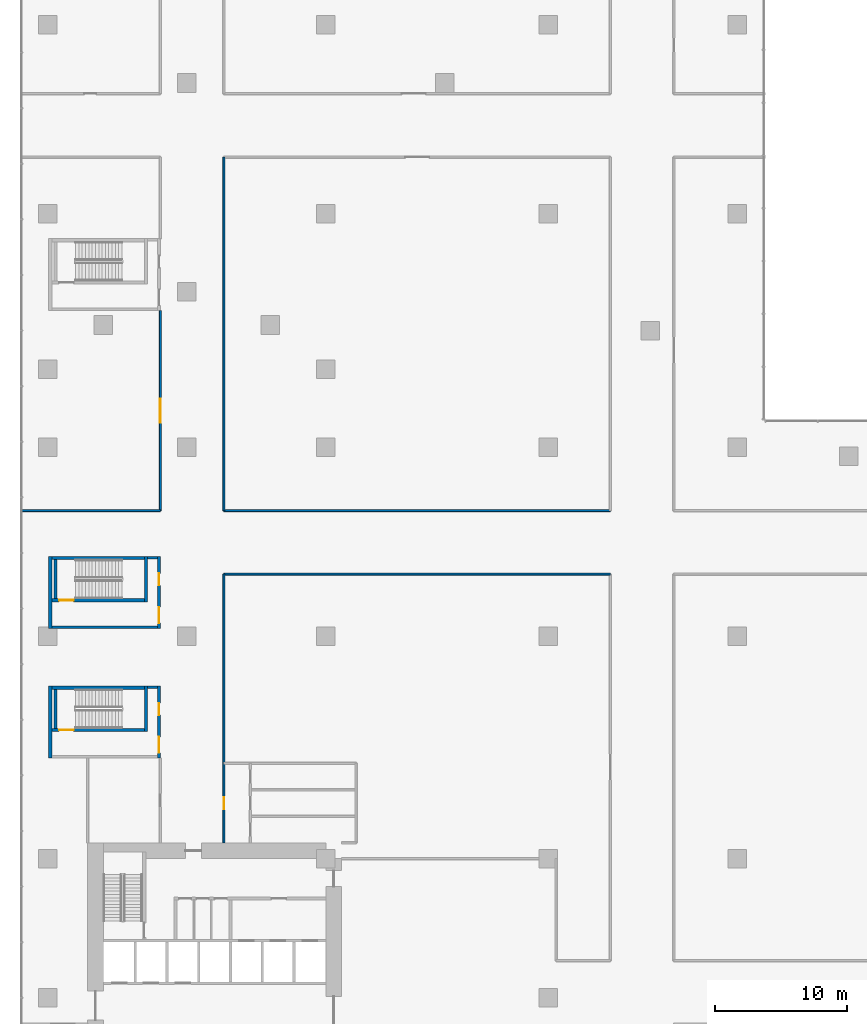
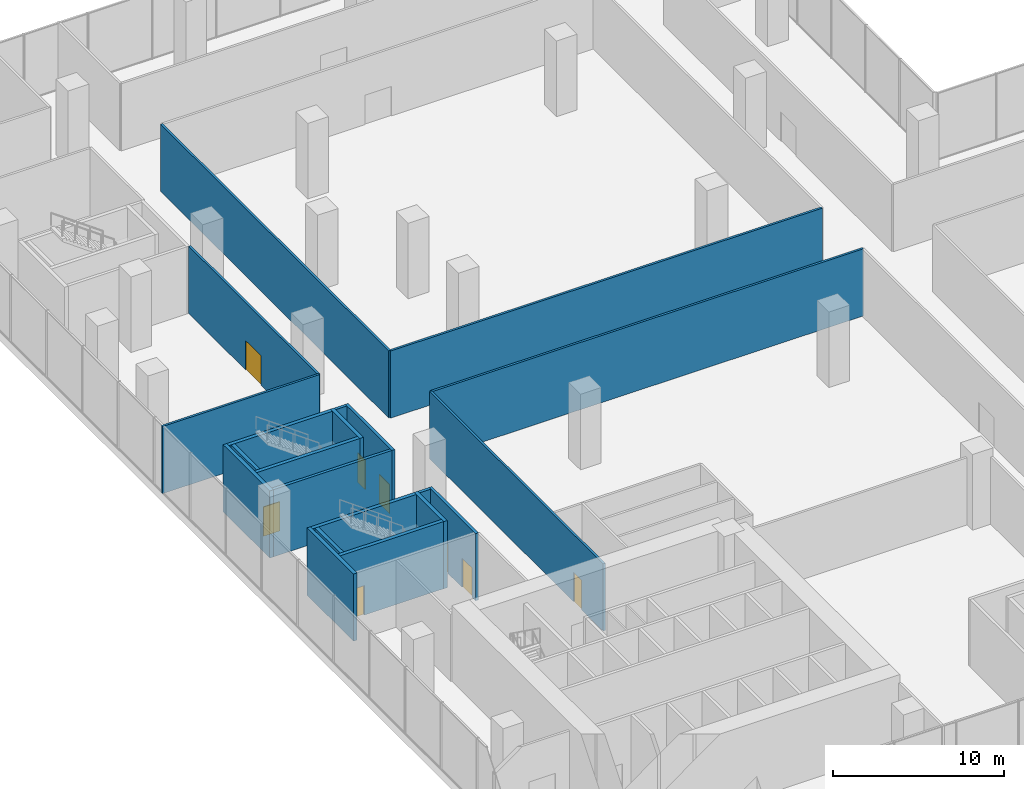
# One storey, part 15 of 22: 21 walls, 8 doors, 8 openings.
"""IFC4 building model written with IfcOpenShell, lengths in metres."""

from ifc_helpers import new_model, si_unit, direction, frame, frame_2d, origin, place, context, subcontext, project, spatial, rectangle, extrude, source, transform, mapped, material, layer, layer_set, type_object, element, fill, save


model = new_model("IFC4")

# Units and contexts
model_context = context("Model", 3, precision=1e-05, world=origin(), true_north=direction((0.0, 1.0)))
body_context = subcontext(model_context, "Body", "Model", "MODEL_VIEW")
ifc_project = project(units=[si_unit("LENGTHUNIT", "METRE"), si_unit("AREAUNIT", "SQUARE_METRE"), si_unit("VOLUMEUNIT", "CUBIC_METRE"), si_unit("PLANEANGLEUNIT", "RADIAN"), si_unit("MASSUNIT", "GRAM", prefix="KILO")], contexts=[model_context])

# Site, building, storey
site_placement = place(None, origin())
site = spatial("IfcSite", under=ifc_project, at=site_placement, CompositionType="ELEMENT")
building_placement = place(site_placement, origin())
building = spatial("IfcBuilding", under=site, at=building_placement, Name="Aurelian Terraces", CompositionType="ELEMENT")
storey_placement = place(building_placement, frame((0.0, 0.0, 7.5)))
storey = spatial("IfcBuildingStorey", under=building, at=storey_placement, Name="L01", CompositionType="ELEMENT", Elevation=7.5)

# Walls
ifc_material_1 = material(Name="Gypsum board on steel studs", Category="steel")
ifc_layer_1 = layer(ifc_material_1, 0.15)
ifc_layer_set_1 = layer_set([ifc_layer_1], Name="Special partition 150")
wall_type_1 = type_object("IfcWallType", Name="Special partition 150", PredefinedType="PARTITIONING", material=ifc_layer_set_1)
wall_1_placement = place(storey_placement, frame((13.3, 42.5, 0.0), z_axis=(0.0, 0.0, 1.0), x_axis=(1.0, 0.0, 0.0)))
element("IfcWall", 1, at=wall_1_placement, inside=storey, type_object=wall_type_1, Name="L01 partition W13", PredefinedType="PARTITIONING", context=body_context, shape_type="SweptSolid", body=[
    extrude(rectangle(XDim=29.2, YDim=0.15, at=frame_2d((14.6, 0.0))), origin(), (0.0, 0.0, 1.0), 4.8),
])
wall_2_placement = place(storey_placement, frame((-2.1, 47.3, 0.0), z_axis=(0.0, 0.0, 1.0), x_axis=(1.0, 0.0, 0.0)))
element("IfcWall", 2, at=wall_2_placement, inside=storey, type_object=wall_type_1, Name="L01 partition W16", PredefinedType="PARTITIONING", context=body_context, shape_type="SweptSolid", body=[
    extrude(rectangle(XDim=10.6, YDim=0.15, at=frame_2d((5.3, 0.0))), origin(), (0.0, 0.0, 1.0), 4.8),
])

# Wall, opening, door
wall_3_placement = place(storey_placement, frame((8.5, 47.3, 0.0), z_axis=(0.0, 0.0, 1.0), x_axis=(0.0, 1.0, 0.0)))
wall_3 = element("IfcWall", 3, at=wall_3_placement, inside=storey, type_object=wall_type_1, Name="L01 partition W28", PredefinedType="PARTITIONING", context=body_context, shape_type="SweptSolid", body=[
    extrude(rectangle(XDim=15.1, YDim=0.15, at=frame_2d((7.55, 0.0))), origin(), (0.0, 0.0, 1.0), 4.8),
])
shared_shape_1 = source(origin(), body_context, "Body", "SweptSolid", [
    extrude(rectangle(XDim=1.8, YDim=2.1, at=frame_2d((0.9, 1.05))), frame((0.0, 0.085, 0.0), z_axis=(0.0, -1.0, 0.0), x_axis=(1.0, 0.0, 0.0)), (0.0, 0.0, 1.0), 0.17),
])
opening_1_placement = place(wall_3_placement, frame((6.65, 0.0, 0.0)))
opening_1 = element("IfcOpeningElement", 4, at=opening_1_placement, cuts=wall_3, Name="Opening 70408", PredefinedType="OPENING", context=body_context, shape_type="MappedRepresentation", body=[
    mapped(shared_shape_1, transform((0.0, 0.0, 0.0), scale=1.0)),
])
ifc_material_2 = material(Name="Timber door leaf", Category="wood")
door_type_1 = type_object("IfcDoorType", Name="Special double door 1800x2100", OperationType="DOUBLE_DOOR_SINGLE_SWING", PredefinedType="DOOR", material=ifc_material_2)
shared_shape_2 = source(origin(), body_context, "Body", "SweptSolid", [
    extrude(rectangle(XDim=1.8, YDim=2.1, at=frame_2d((0.9, 1.05))), frame((0.0, 0.025, 0.0), z_axis=(0.0, -1.0, 0.0), x_axis=(1.0, 0.0, 0.0)), (0.0, 0.0, 1.0), 0.05),
])
door_1_placement = place(opening_1_placement, origin())
door_1 = element("IfcDoor", 5, at=door_1_placement, inside=storey, type_object=door_type_1, Name="Door 70408", OperationType="DOUBLE_DOOR_SINGLE_SWING", OverallHeight=2.1, OverallWidth=1.8, PredefinedType="DOOR", context=body_context, shape_type="MappedRepresentation", body=[
    mapped(shared_shape_2, transform((0.0, 0.0, 0.0), scale=1.0)),
])
fill(opening_1, door_1)

wall_4_placement = place(storey_placement, frame((13.3, 22.2, 0.0), z_axis=(0.0, 0.0, 1.0), x_axis=(0.0, 1.0, 0.0)))
wall_4 = element("IfcWall", 6, at=wall_4_placement, inside=storey, type_object=wall_type_1, Name="L01 partition W31", PredefinedType="PARTITIONING", context=body_context, shape_type="SweptSolid", body=[
    extrude(rectangle(XDim=20.3, YDim=0.15, at=frame_2d((10.15, 0.0))), origin(), (0.0, 0.0, 1.0), 4.8),
])
shared_shape_3 = source(origin(), body_context, "Body", "SweptSolid", [
    extrude(rectangle(XDim=0.9, YDim=2.1, at=frame_2d((0.45, 1.05))), frame((0.0, 0.085, 0.0), z_axis=(0.0, -1.0, 0.0), x_axis=(1.0, 0.0, 0.0)), (0.0, 0.0, 1.0), 0.17),
])
opening_2_placement = place(wall_4_placement, frame((2.55, 0.0, 0.0)))
opening_2 = element("IfcOpeningElement", 7, at=opening_2_placement, cuts=wall_4, Name="Opening 70409", PredefinedType="OPENING", context=body_context, shape_type="MappedRepresentation", body=[
    mapped(shared_shape_3, transform((0.0, 0.0, 0.0), scale=1.0)),
])
door_type_2 = type_object("IfcDoorType", Name="Special door 900x2100", OperationType="SINGLE_SWING_LEFT", PredefinedType="DOOR", material=ifc_material_2)
shared_shape_4 = source(origin(), body_context, "Body", "SweptSolid", [
    extrude(rectangle(XDim=0.9, YDim=2.1, at=frame_2d((0.45, 1.05))), frame((0.0, 0.025, 0.0), z_axis=(0.0, -1.0, 0.0), x_axis=(1.0, 0.0, 0.0)), (0.0, 0.0, 1.0), 0.05),
])
door_2_placement = place(opening_2_placement, origin())
door_2 = element("IfcDoor", 8, at=door_2_placement, inside=storey, type_object=door_type_2, Name="Door 70409", OperationType="SINGLE_SWING_LEFT", OverallHeight=2.1, OverallWidth=0.9, PredefinedType="DOOR", context=body_context, shape_type="MappedRepresentation", body=[
    mapped(shared_shape_4, transform((0.0, 0.0, 0.0), scale=1.0)),
])
fill(opening_2, door_2)

ifc_material_3 = material(Name="Concrete fc' 40 MPa", Category="concrete")
ifc_layer_2 = layer(ifc_material_3, 0.25)
ifc_layer_set_2 = layer_set([ifc_layer_2], Name="Stair enclosure wall 250")
wall_type_2 = type_object("IfcWallType", Name="Stair enclosure wall 250", PredefinedType="SOLIDWALL", material=ifc_layer_set_2)
shared_shape_5 = source(origin(), body_context, "Body", "SweptSolid", [
    extrude(rectangle(XDim=7.0, YDim=0.25, at=frame_2d((3.5, 0.0))), origin(), (0.0, 0.0, 1.0), 4.8),
])
wall_5_placement = place(storey_placement, frame((0.3, 40.525, 0.0), z_axis=(0.0, 0.0, 1.0), x_axis=(1.0, 0.0, 0.0)))
wall_5 = element("IfcWall", 9, at=wall_5_placement, inside=storey, type_object=wall_type_2, Name="L01 core wall ST-S3-W", PredefinedType="SOLIDWALL", context=body_context, shape_type="MappedRepresentation", body=[
    mapped(shared_shape_5, transform((0.0, 0.0, 0.0), scale=1.0)),
])
shared_shape_6 = source(origin(), body_context, "Body", "SweptSolid", [
    extrude(rectangle(XDim=1.1, YDim=2.1, at=frame_2d((0.55, 1.05))), frame((0.0, 0.135, 0.0), z_axis=(0.0, -1.0, 0.0), x_axis=(1.0, 0.0, 0.0)), (0.0, 0.0, 1.0), 0.27),
])
opening_3_placement = place(wall_5_placement, frame((0.55, 0.0, 0.0)))
opening_3 = element("IfcOpeningElement", 10, at=opening_3_placement, cuts=wall_5, Name="Opening 60418", PredefinedType="OPENING", context=body_context, shape_type="MappedRepresentation", body=[
    mapped(shared_shape_6, transform((0.0, 0.0, 0.0), scale=1.0)),
])
ifc_material_4 = material(Name="Steel door leaf", Category="steel")
door_type_3 = type_object("IfcDoorType", Name="Core fire door 1100x2100", OperationType="SINGLE_SWING_LEFT", PredefinedType="DOOR", material=ifc_material_4)
shared_shape_7 = source(origin(), body_context, "Body", "SweptSolid", [
    extrude(rectangle(XDim=1.1, YDim=2.1, at=frame_2d((0.55, 1.05))), frame((0.0, 0.025, 0.0), z_axis=(0.0, -1.0, 0.0), x_axis=(1.0, 0.0, 0.0)), (0.0, 0.0, 1.0), 0.05),
])
door_3_placement = place(opening_3_placement, origin())
door_3 = element("IfcDoor", 11, at=door_3_placement, inside=storey, type_object=door_type_3, Name="Stair door 60418", OperationType="SINGLE_SWING_LEFT", OverallHeight=2.1, OverallWidth=1.1, PredefinedType="DOOR", context=body_context, shape_type="MappedRepresentation", body=[
    mapped(shared_shape_7, transform((0.0, 0.0, 0.0), scale=1.0)),
])
fill(opening_3, door_3)

# Wall
wall_6_placement = place(storey_placement, frame((0.3, 43.725, 0.0), z_axis=(0.0, 0.0, 1.0), x_axis=(1.0, 0.0, 0.0)))
element("IfcWall", 12, at=wall_6_placement, inside=storey, type_object=wall_type_2, Name="L01 core wall ST-S3-E", PredefinedType="SOLIDWALL", context=body_context, shape_type="MappedRepresentation", body=[
    mapped(shared_shape_5, transform((0.0, 0.0, 0.0), scale=1.0)),
])

# Wall, opening, door
wall_7_placement = place(storey_placement, frame((0.3, 30.725, 0.0), z_axis=(0.0, 0.0, 1.0), x_axis=(1.0, 0.0, 0.0)))
wall_7 = element("IfcWall", 13, at=wall_7_placement, inside=storey, type_object=wall_type_2, Name="L01 core wall ST-S4-W", PredefinedType="SOLIDWALL", context=body_context, shape_type="MappedRepresentation", body=[
    mapped(shared_shape_5, transform((0.0, 0.0, 0.0), scale=1.0)),
])
opening_4_placement = place(wall_7_placement, frame((0.55, 0.0, 0.0)))
opening_4 = element("IfcOpeningElement", 14, at=opening_4_placement, cuts=wall_7, Name="Opening 60421", PredefinedType="OPENING", context=body_context, shape_type="MappedRepresentation", body=[
    mapped(shared_shape_6, transform((0.0, 0.0, 0.0), scale=1.0)),
])
door_type_4 = type_object("IfcDoorType", Name="Core fire door 1100x2100 right", OperationType="SINGLE_SWING_RIGHT", PredefinedType="DOOR", material=ifc_material_4)
door_4_placement = place(opening_4_placement, origin())
door_4 = element("IfcDoor", 15, at=door_4_placement, inside=storey, type_object=door_type_4, Name="Stair door 60421", OperationType="SINGLE_SWING_RIGHT", OverallHeight=2.1, OverallWidth=1.1, PredefinedType="DOOR", context=body_context, shape_type="MappedRepresentation", body=[
    mapped(shared_shape_7, transform((0.0, 0.0, 0.0), scale=1.0)),
])
fill(opening_4, door_4)

# Walls
wall_8_placement = place(storey_placement, frame((0.3, 33.925, 0.0), z_axis=(0.0, 0.0, 1.0), x_axis=(1.0, 0.0, 0.0)))
element("IfcWall", 16, at=wall_8_placement, inside=storey, type_object=wall_type_2, Name="L01 core wall ST-S4-E", PredefinedType="SOLIDWALL", context=body_context, shape_type="MappedRepresentation", body=[
    mapped(shared_shape_5, transform((0.0, 0.0, 0.0), scale=1.0)),
])
shared_shape_8 = source(origin(), body_context, "Body", "SweptSolid", [
    extrude(rectangle(XDim=3.45, YDim=0.25, at=frame_2d((1.725, 0.0))), origin(), (0.0, 0.0, 1.0), 4.8),
])
for number, where, z_axis, x_axis, name in (
    (17, (7.425, 40.4, 0.0), (0.0, 0.0, 1.0), (0.0, 1.0, 0.0), "L01 core wall ST-S3-N"),
    (18, (7.425, 30.6, 0.0), (0.0, 0.0, 1.0), (0.0, 1.0, 0.0), "L01 core wall ST-S4-N"),
):
    element("IfcWall", number, at=place(storey_placement, frame(where, z_axis=z_axis, x_axis=x_axis)), inside=storey, type_object=wall_type_2, Name=name, PredefinedType="SOLIDWALL", context=body_context, shape_type="MappedRepresentation", body=[
        mapped(shared_shape_8, transform((0.0, 0.0, 0.0), scale=1.0)),
    ])
shared_shape_9 = source(origin(), body_context, "Body", "SweptSolid", [
    extrude(rectangle(XDim=2.95, YDim=0.25, at=frame_2d((1.475, 0.0))), origin(), (0.0, 0.0, 1.0), 4.8),
])
for number, where, z_axis, x_axis, name in (
    (19, (0.575, 40.65, 0.0), (0.0, 0.0, 1.0), (0.0, 1.0, 0.0), "L01 core wall ST-S3-SS"),
    (20, (0.575, 30.85, 0.0), (0.0, 0.0, 1.0), (0.0, 1.0, 0.0), "L01 core wall ST-S4-SS"),
):
    element("IfcWall", number, at=place(storey_placement, frame(where, z_axis=z_axis, x_axis=x_axis)), inside=storey, type_object=wall_type_2, Name=name, PredefinedType="SOLIDWALL", context=body_context, shape_type="MappedRepresentation", body=[
        mapped(shared_shape_9, transform((0.0, 0.0, 0.0), scale=1.0)),
    ])
ifc_layer_3 = layer(ifc_material_1, 0.2)
ifc_layer_set_3 = layer_set([ifc_layer_3], Name="Core partition 200")
wall_type_3 = type_object("IfcWallType", Name="Core partition 200", PredefinedType="PARTITIONING", material=ifc_layer_set_3)
shared_shape_10 = source(origin(), body_context, "Body", "SweptSolid", [
    extrude(rectangle(XDim=8.0, YDim=0.2, at=frame_2d((4.0, 0.0))), origin(), (0.0, 0.0, 1.0), 4.8),
])
wall_9_placement = place(storey_placement, frame((0.3, 38.5, 0.0), z_axis=(0.0, 0.0, 1.0), x_axis=(1.0, 0.0, 0.0)))
element("IfcWall", 21, at=wall_9_placement, inside=storey, type_object=wall_type_3, Name="L01 core wall ST-S3-VW", PredefinedType="PARTITIONING", context=body_context, shape_type="MappedRepresentation", body=[
    mapped(shared_shape_10, transform((0.0, 0.0, 0.0), scale=1.0)),
])

# Wall, openings, doors
shared_shape_11 = source(origin(), body_context, "Body", "SweptSolid", [
    extrude(rectangle(XDim=5.45, YDim=0.2, at=frame_2d((2.725, 0.0))), origin(), (0.0, 0.0, 1.0), 4.8),
])
wall_10_placement = place(storey_placement, frame((8.4, 38.4, 0.0), z_axis=(0.0, 0.0, 1.0), x_axis=(0.0, 1.0, 0.0)))
wall_10 = element("IfcWall", 22, at=wall_10_placement, inside=storey, type_object=wall_type_3, Name="L01 core wall ST-S3-BN", PredefinedType="PARTITIONING", context=body_context, shape_type="MappedRepresentation", body=[
    mapped(shared_shape_11, transform((0.0, 0.0, 0.0), scale=1.0)),
])
shared_shape_12 = source(origin(), body_context, "Body", "SweptSolid", [
    extrude(rectangle(XDim=1.2, YDim=2.1, at=frame_2d((0.6, 1.05))), frame((0.0, 0.11, 0.0), z_axis=(0.0, -1.0, 0.0), x_axis=(1.0, 0.0, 0.0)), (0.0, 0.0, 1.0), 0.22),
])
opening_5_placement = place(wall_10_placement, frame((0.4, 0.0, 0.0)))
opening_5 = element("IfcOpeningElement", 23, at=opening_5_placement, cuts=wall_10, Name="Opening 60419", PredefinedType="OPENING", context=body_context, shape_type="MappedRepresentation", body=[
    mapped(shared_shape_12, transform((0.0, 0.0, 0.0), scale=1.0)),
])
shared_shape_13 = source(origin(), body_context, "Body", "SweptSolid", [
    extrude(rectangle(XDim=0.9, YDim=2.1, at=frame_2d((0.45, 1.05))), frame((0.0, 0.11, 0.0), z_axis=(0.0, -1.0, 0.0), x_axis=(1.0, 0.0, 0.0)), (0.0, 0.0, 1.0), 0.22),
])
opening_6_placement = place(wall_10_placement, frame((3.25, 0.0, 0.0)))
opening_6 = element("IfcOpeningElement", 24, at=opening_6_placement, cuts=wall_10, Name="Opening 60420", PredefinedType="OPENING", context=body_context, shape_type="MappedRepresentation", body=[
    mapped(shared_shape_13, transform((0.0, 0.0, 0.0), scale=1.0)),
])
door_type_5 = type_object("IfcDoorType", Name="Core riser door 900x2100", OperationType="SINGLE_SWING_LEFT", PredefinedType="DOOR", material=ifc_material_4)
door_5_placement = place(opening_6_placement, origin())
door_5 = element("IfcDoor", 25, at=door_5_placement, inside=storey, type_object=door_type_5, Name="Riser door 60420", OperationType="SINGLE_SWING_LEFT", OverallHeight=2.1, OverallWidth=0.9, PredefinedType="DOOR", context=body_context, shape_type="MappedRepresentation", body=[
    mapped(shared_shape_4, transform((0.0, 0.0, 0.0), scale=1.0)),
])
fill(opening_6, door_5)
door_type_6 = type_object("IfcDoorType", Name="Core fire door 1200x2100 right", OperationType="SINGLE_SWING_RIGHT", PredefinedType="DOOR", material=ifc_material_4)
shared_shape_14 = source(origin(), body_context, "Body", "SweptSolid", [
    extrude(rectangle(XDim=1.2, YDim=2.1, at=frame_2d((0.6, 1.05))), frame((0.0, 0.025, 0.0), z_axis=(0.0, -1.0, 0.0), x_axis=(1.0, 0.0, 0.0)), (0.0, 0.0, 1.0), 0.05),
])
door_6_placement = place(opening_5_placement, origin())
door_6 = element("IfcDoor", 26, at=door_6_placement, inside=storey, type_object=door_type_6, Name="Vestibule door 60419", OperationType="SINGLE_SWING_RIGHT", OverallHeight=2.1, OverallWidth=1.2, PredefinedType="DOOR", context=body_context, shape_type="MappedRepresentation", body=[
    mapped(shared_shape_14, transform((0.0, 0.0, 0.0), scale=1.0)),
])
fill(opening_5, door_6)

wall_11_placement = place(storey_placement, frame((8.4, 28.6, 0.0), z_axis=(0.0, 0.0, 1.0), x_axis=(0.0, 1.0, 0.0)))
wall_11 = element("IfcWall", 27, at=wall_11_placement, inside=storey, type_object=wall_type_3, Name="L01 core wall ST-S4-BN", PredefinedType="PARTITIONING", context=body_context, shape_type="MappedRepresentation", body=[
    mapped(shared_shape_11, transform((0.0, 0.0, 0.0), scale=1.0)),
])
opening_7_placement = place(wall_11_placement, frame((0.4, 0.0, 0.0)))
opening_7 = element("IfcOpeningElement", 28, at=opening_7_placement, cuts=wall_11, Name="Opening 60422", PredefinedType="OPENING", context=body_context, shape_type="MappedRepresentation", body=[
    mapped(shared_shape_12, transform((0.0, 0.0, 0.0), scale=1.0)),
])
opening_8_placement = place(wall_11_placement, frame((3.25, 0.0, 0.0)))
opening_8 = element("IfcOpeningElement", 29, at=opening_8_placement, cuts=wall_11, Name="Opening 60423", PredefinedType="OPENING", context=body_context, shape_type="MappedRepresentation", body=[
    mapped(shared_shape_13, transform((0.0, 0.0, 0.0), scale=1.0)),
])
door_type_7 = type_object("IfcDoorType", Name="Core riser door 900x2100 right", OperationType="SINGLE_SWING_RIGHT", PredefinedType="DOOR", material=ifc_material_4)
door_7_placement = place(opening_8_placement, origin())
door_7 = element("IfcDoor", 30, at=door_7_placement, inside=storey, type_object=door_type_7, Name="Riser door 60423", OperationType="SINGLE_SWING_RIGHT", OverallHeight=2.1, OverallWidth=0.9, PredefinedType="DOOR", context=body_context, shape_type="MappedRepresentation", body=[
    mapped(shared_shape_4, transform((0.0, 0.0, 0.0), scale=1.0)),
])
fill(opening_8, door_7)
door_type_8 = type_object("IfcDoorType", Name="Core fire door 1200x2100", OperationType="SINGLE_SWING_LEFT", PredefinedType="DOOR", material=ifc_material_4)
door_8_placement = place(opening_7_placement, origin())
door_8 = element("IfcDoor", 31, at=door_8_placement, inside=storey, type_object=door_type_8, Name="Vestibule door 60422", OperationType="SINGLE_SWING_LEFT", OverallHeight=2.1, OverallWidth=1.2, PredefinedType="DOOR", context=body_context, shape_type="MappedRepresentation", body=[
    mapped(shared_shape_14, transform((0.0, 0.0, 0.0), scale=1.0)),
])
fill(opening_7, door_8)

# Walls
shared_shape_15 = source(origin(), body_context, "Body", "SweptSolid", [
    extrude(rectangle(XDim=0.75, YDim=0.2, at=frame_2d((0.375, 0.0))), origin(), (0.0, 0.0, 1.0), 4.8),
])
for number, where, z_axis, x_axis, name in (
    (32, (7.55, 43.75, 0.0), (0.0, 0.0, 1.0), (1.0, 0.0, 0.0), "L01 core wall ST-S3-RE"),
    (33, (7.55, 33.95, 0.0), (0.0, 0.0, 1.0), (1.0, 0.0, 0.0), "L01 core wall ST-S4-RE"),
):
    element("IfcWall", number, at=place(storey_placement, frame(where, z_axis=z_axis, x_axis=x_axis)), inside=storey, type_object=wall_type_3, Name=name, PredefinedType="PARTITIONING", context=body_context, shape_type="MappedRepresentation", body=[
        mapped(shared_shape_15, transform((0.0, 0.0, 0.0), scale=1.0)),
    ])
shared_shape_16 = source(origin(), body_context, "Body", "SweptSolid", [
    extrude(rectangle(XDim=5.45, YDim=0.25, at=frame_2d((2.725, 0.0))), origin(), (0.0, 0.0, 1.0), 4.8),
])
for number, where, z_axis, x_axis, name in (
    (34, (0.175, 38.4, 0.0), (0.0, 0.0, 1.0), (0.0, 1.0, 0.0), "L01 core wall ST-S3-S"),
    (35, (0.175, 28.6, 0.0), (0.0, 0.0, 1.0), (0.0, 1.0, 0.0), "L01 core wall ST-S4-S"),
):
    element("IfcWall", number, at=place(storey_placement, frame(where, z_axis=z_axis, x_axis=x_axis)), inside=storey, type_object=wall_type_2, Name=name, PredefinedType="SOLIDWALL", context=body_context, shape_type="MappedRepresentation", body=[
        mapped(shared_shape_16, transform((0.0, 0.0, 0.0), scale=1.0)),
    ])
shared_shape_17 = source(origin(), body_context, "Body", "SweptSolid", [
    extrude(rectangle(XDim=26.7, YDim=0.15, at=frame_2d((13.35, 0.0))), origin(), (0.0, 0.0, 1.0), 4.8),
])
wall_12_placement = place(storey_placement, frame((13.3, 47.3, 0.0), z_axis=(0.0, 0.0, 1.0), x_axis=(0.0, 1.0, 0.0)))
element("IfcWall", 36, at=wall_12_placement, inside=storey, type_object=wall_type_1, Name="L01 partition W32", PredefinedType="PARTITIONING", context=body_context, shape_type="MappedRepresentation", body=[
    mapped(shared_shape_17, transform((0.0, 0.0, 0.0), scale=1.0)),
])
shared_shape_18 = source(origin(), body_context, "Body", "SweptSolid", [
    extrude(rectangle(XDim=29.2, YDim=0.15, at=frame_2d((14.6, 0.0))), origin(), (0.0, 0.0, 1.0), 4.8),
])
wall_13_placement = place(storey_placement, frame((13.3, 47.3, 0.0), z_axis=(0.0, 0.0, 1.0), x_axis=(1.0, 0.0, 0.0)))
element("IfcWall", 37, at=wall_13_placement, inside=storey, type_object=wall_type_1, Name="L01 partition W17", PredefinedType="PARTITIONING", context=body_context, shape_type="MappedRepresentation", body=[
    mapped(shared_shape_18, transform((0.0, 0.0, 0.0), scale=1.0)),
])

save(model, "model.ifc")
